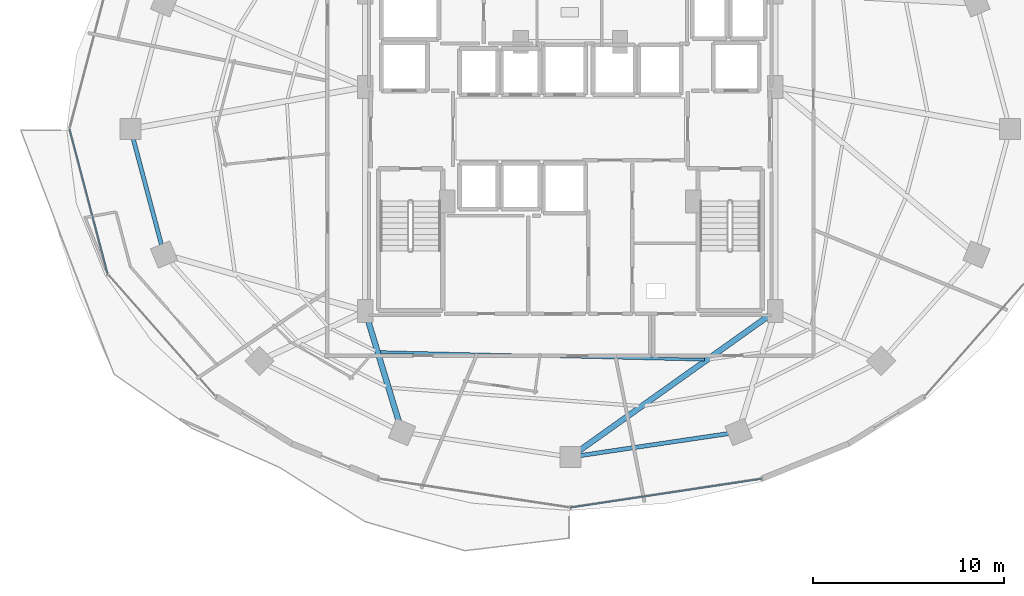
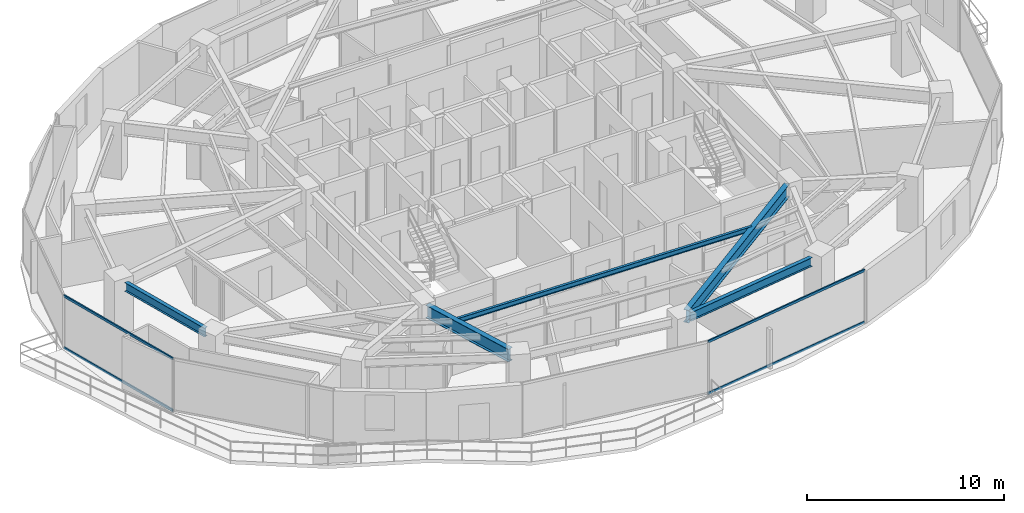
# One storey, part 6 of 29: 5 beams, 4 members, 2 elements without a shape of their own.
"""IFC4 building model written with IfcOpenShell, lengths in metres."""

import ifcopenshell
import ifcopenshell.guid

model = None  # the IFC model being written
_history = None  # IfcOwnerHistory: only IFC2X3 demands one
_inside = {}  # id of a spatial element -> (the spatial element, [elements in it])
_under = {}  # id of a project, library or spatial element -> (it, [spatial elements below it])
_declared = {}  # id of a project -> (the project, [libraries it declares])
_typed = {}  # id of a type object -> (the type object, [elements of that type])
_made_of = {}  # id of a material, layer set ... -> (it, [elements and type objects made of it])


def new_model(schema):
    """Start an empty IFC model of exactly this schema.

    Asked for "IFC4X3", IfcOpenShell would pick the latest addendum, in which some entities
    have other attributes; the version numbers below select the first issue.
    IFC2X3 requires an IfcOwnerHistory on every rooted entity: one is made here for all.
    """
    global model, _history
    if schema == "IFC4X3":
        model = ifcopenshell.file(schema_version=(4, 3, 0, 0))
    else:
        model = ifcopenshell.file(schema=schema)
    _inside.clear()
    _under.clear()
    _declared.clear()
    _typed.clear()
    _made_of.clear()
    _history = None
    if model.schema == "IFC2X3":
        org = make("IfcOrganization", Name="unknown")
        user = make(
            "IfcPersonAndOrganization",
            ThePerson=make("IfcPerson", FamilyName="unknown"),
            TheOrganization=org,
        )
        app = make(
            "IfcApplication",
            ApplicationDeveloper=org,
            Version="unknown",
            ApplicationFullName="unknown",
            ApplicationIdentifier="unknown",
        )
        _history = make(
            "IfcOwnerHistory",
            OwningUser=user,
            OwningApplication=app,
            ChangeAction="ADDED",
            CreationDate=0,
        )
    return model


def make(cls, **values):
    """One entity of the class cls with the attributes given. An attribute that is None is left unset."""
    return model.create_entity(
        cls, **{name: value for name, value in values.items() if value is not None}
    )


def rooted(cls, **values):
    """An entity with a GlobalId (a new one), such as an element, a storey or a relation."""
    return make(cls, GlobalId=ifcopenshell.guid.new(), OwnerHistory=_history, **values)


def si_unit(unit_type, name, prefix=None):
    """IfcSIUnit, for example si_unit("LENGTHUNIT", "METRE", prefix="MILLI")."""
    return make("IfcSIUnit", UnitType=unit_type, Prefix=prefix, Name=name)


def assignment(units):
    """IfcUnitAssignment: the units of a project."""
    return None if units is None else make("IfcUnitAssignment", Units=units)


def point(xyz):
    """IfcCartesianPoint."""
    return None if xyz is None else make("IfcCartesianPoint", Coordinates=xyz)


def direction(xyz):
    """IfcDirection."""
    return None if xyz is None else make("IfcDirection", DirectionRatios=xyz)


def frame(location, z_axis=None, x_axis=None):
    """IfcAxis2Placement3D, a coordinate frame: its origin and axes. An axis left out is left unset."""
    return make(
        "IfcAxis2Placement3D",
        Location=point(location),
        Axis=direction(z_axis),
        RefDirection=direction(x_axis),
    )


def frame_2d(location, x_axis=None):
    """IfcAxis2Placement2D, a coordinate frame in the plane: its origin and x axis."""
    return make(
        "IfcAxis2Placement2D", Location=point(location), RefDirection=direction(x_axis)
    )


def origin():
    """The frame at (0, 0, 0) with its axes left unset."""
    return frame((0.0, 0.0, 0.0))


def origin_2d():
    """The frame at (0, 0) in the plane with its x axis left unset."""
    return frame_2d((0.0, 0.0))


def place(relative_to, where):
    """IfcLocalPlacement: puts the frame where relative to a parent placement (None: the world)."""
    return make(
        "IfcLocalPlacement", PlacementRelTo=relative_to, RelativePlacement=where
    )


def context(
    kind, dimensions, precision=None, world=None, true_north=None, identifier=None
):
    """IfcGeometricRepresentationContext, for example the 3D "Model" context."""
    return make(
        "IfcGeometricRepresentationContext",
        ContextIdentifier=identifier,
        ContextType=kind,
        CoordinateSpaceDimension=dimensions,
        Precision=precision,
        WorldCoordinateSystem=world,
        TrueNorth=true_north,
    )


def subcontext(parent, identifier, kind, view, scale=None):
    """IfcGeometricRepresentationSubContext, for example "Body" below "Model"."""
    return make(
        "IfcGeometricRepresentationSubContext",
        ContextIdentifier=identifier,
        ContextType=kind,
        ParentContext=parent,
        TargetScale=scale,
        TargetView=view,
    )


def project(units=None, contexts=None):
    """IfcProject with its units and contexts."""
    return rooted(
        "IfcProject",
        Name="project",
        RepresentationContexts=contexts,
        UnitsInContext=assignment(units),
    )


def spatial(cls, under=None, at=None, **own):
    """A site, building, storey or space (cls), placed at a placement, below another one or the project."""
    s = rooted(cls, ObjectPlacement=at, **own)
    if under is not None:
        _under.setdefault(under.id(), (under, []))[1].append(s)
    return s


def profile(cls, at=None, kind="AREA", **sizes):
    """A parametric profile (cls). Its sizes go by their IFC names, for example OverallWidth=200.0."""
    return make(cls, ProfileType=kind, Position=at, **sizes)


def hollow_rectangle(**sizes):
    """IfcRectangleHollowProfileDef."""
    return profile("IfcRectangleHollowProfileDef", **sizes)


def i_section(**sizes):
    """IfcIShapeProfileDef."""
    return profile("IfcIShapeProfileDef", **sizes)


def extrude(swept, where, along, depth):
    """IfcExtrudedAreaSolid: the profile swept, set in the frame where, extruded along a direction by depth."""
    return make(
        "IfcExtrudedAreaSolid",
        SweptArea=swept,
        Position=where,
        ExtrudedDirection=direction(along),
        Depth=depth,
    )


def shape(context_of_items, identifier, shape_type, items):
    """IfcShapeRepresentation: the items that make up one representation, for example the "Body"."""
    return make(
        "IfcShapeRepresentation",
        ContextOfItems=context_of_items,
        RepresentationIdentifier=identifier,
        RepresentationType=shape_type,
        Items=items,
    )


def material(Name=None, Category=None):
    """IfcMaterial."""
    return make("IfcMaterial", Name=Name, Category=Category)


def material_profile(
    of_material, cross_section, Name=None, Category=None, Priority=None
):
    """IfcMaterialProfile: a cross section and its material."""
    return make(
        "IfcMaterialProfile",
        Name=Name,
        Material=of_material,
        Profile=cross_section,
        Priority=Priority,
        Category=Category,
    )


def profile_set(profiles, Name=None, composite=None):
    """IfcMaterialProfileSet."""
    return make(
        "IfcMaterialProfileSet",
        Name=Name,
        MaterialProfiles=profiles,
        CompositeProfile=composite,
    )


def made_of(thing, what):
    """Note that an element or type object is made of a material, layer set ...; save() writes the relation."""
    if what is not None:
        _made_of.setdefault(what.id(), (what, []))[1].append(thing)
    return thing


def type_object(cls, material=None, **own):
    """A type object (cls), such as IfcWallType, which elements share."""
    return made_of(rooted(cls, **own), material)


def element(
    cls,
    number,
    at=None,
    inside=None,
    cuts=None,
    type_object=None,
    material=None,
    context=None,
    identifier="Body",
    shape_type=None,
    held_by="IfcProductDefinitionShape",
    body=None,
    shapes=None,
    **own,
):
    """One element of the class cls, such as IfcWall. Its Tag is "e" and its number.

    at: its placement. inside: the storey or other place that contains it. cuts: it is an
    opening in that element (IfcRelVoidsElement). A single representation is given by context,
    identifier, shape_type and body (its items); several are given by shapes. held_by: the class
    of the entity that holds the representations. save() writes the other relations.
    """
    e = rooted(cls, Tag="e%d" % number, ObjectPlacement=at, **own)
    if body is not None:
        shapes = [shape(context, identifier, shape_type, body)]
    if shapes is not None:
        e.Representation = make(held_by, Representations=shapes)
    if inside is not None:
        _inside.setdefault(inside.id(), (inside, []))[1].append(e)
    if cuts is not None:
        rooted(
            "IfcRelVoidsElement", RelatingBuildingElement=cuts, RelatedOpeningElement=e
        )
    if type_object is not None:
        _typed.setdefault(type_object.id(), (type_object, []))[1].append(e)
    return made_of(e, material)


def aggregate(whole, parts):
    """IfcRelAggregates: a whole, such as a stair, and the parts it consists of."""
    return rooted("IfcRelAggregates", RelatingObject=whole, RelatedObjects=parts)


def save(model, path):
    """Write the relations noted so far, then the file.

    IfcRelAggregates (storeys below a building ...), IfcRelContainedInSpatialStructure (elements
    in a storey), IfcRelDefinesByType, IfcRelAssociatesMaterial and IfcRelDeclares: one each for
    every whole, place, type object, material and project.
    """
    for whole, parts in _under.values():
        aggregate(whole, parts)
    for where, things in _inside.values():
        rooted(
            "IfcRelContainedInSpatialStructure",
            RelatedElements=things,
            RelatingStructure=where,
        )
    for kind, things in _typed.values():
        rooted("IfcRelDefinesByType", RelatedObjects=things, RelatingType=kind)
    for what, things in _made_of.values():
        rooted("IfcRelAssociatesMaterial", RelatedObjects=things, RelatingMaterial=what)
    for by, libraries in _declared.values():
        rooted("IfcRelDeclares", RelatingContext=by, RelatedDefinitions=libraries)
    model.write(path)


model = new_model("IFC4")

# Units and contexts
model_context = context("Model", 3, precision=1e-05, world=origin(), true_north=direction((0.0, 1.0)))
body_context = subcontext(model_context, "Body", "Model", "MODEL_VIEW")
ifc_project = project(units=[si_unit("LENGTHUNIT", "METRE"), si_unit("AREAUNIT", "SQUARE_METRE"), si_unit("VOLUMEUNIT", "CUBIC_METRE"), si_unit("PLANEANGLEUNIT", "RADIAN"), si_unit("MASSUNIT", "GRAM", prefix="KILO")], contexts=[model_context])

# Site, building, storey
site_placement = place(None, origin())
site = spatial("IfcSite", under=ifc_project, at=site_placement, CompositionType="ELEMENT")
building_placement = place(site_placement, origin())
building = spatial("IfcBuilding", under=site, at=building_placement, Name="Vorneva Point Tower", CompositionType="ELEMENT")
storey_placement = place(building_placement, frame((0.0, 0.0, 82.300048828125)))
storey = spatial("IfcBuildingStorey", under=building, at=storey_placement, Name="L21", CompositionType="ELEMENT", Elevation=82.300048828125)

# Beams
ifc_material_1 = material(Name="Steel S355", Category="steel")
ifc_material_profile_1 = material_profile(ifc_material_1, i_section(OverallWidth=0.300048828125, OverallDepth=0.7880859375, WebThickness=0.014404296875, FlangeThickness=0.02197265625, at=origin_2d()), Name="80Sh1")
ifc_profile_set_1 = profile_set([ifc_material_profile_1], Name="Steel S355")
beam_type_1 = type_object("IfcBeamType", Name="BM-GRD-80Sh1", PredefinedType="USERDEFINED", material=ifc_profile_set_1)
beam_1_placement = place(storey_placement, frame((29.0224609375, 10.6240234375, 2.845947265625), z_axis=(-0.291034888253, 0.956712440506, 0.0), x_axis=(-0.956712440506, -0.291034888253, 0.0)))
element("IfcBeam", 1, at=beam_1_placement, inside=storey, type_object=beam_type_1, Name="L21 Radial Primary Girder 12", ObjectType="GIRDER", PredefinedType="USERDEFINED", context=body_context, shape_type="SweptSolid", body=[
    extrude(i_section(OverallWidth=0.300048828125, OverallDepth=0.7880859375, WebThickness=0.014404296875, FlangeThickness=0.02197265625, at=origin_2d()), origin(), (0.0, 0.0, 1.0), 5.74951171875),
])
beam_2_placement = place(storey_placement, frame((38.438232421875, 9.11181640625, 2.845947265625), z_axis=(0.814750142675, 0.5798122153, 0.0), x_axis=(-0.5798122153, 0.814750142675, 0.0)))
element("IfcBeam", 2, at=beam_2_placement, inside=storey, type_object=beam_type_1, Name="L21 Radial Primary Girder 13", ObjectType="GIRDER", PredefinedType="USERDEFINED", context=body_context, shape_type="SweptSolid", body=[
    extrude(i_section(OverallWidth=0.300048828125, OverallDepth=0.7880859375, WebThickness=0.014404296875, FlangeThickness=0.02197265625, at=origin_2d()), origin(), (0.0, 0.0, 1.0), 12.316162109375),
])
ifc_material_profile_2 = material_profile(ifc_material_1, i_section(OverallWidth=0.14892578125, OverallDepth=0.298095703125, WebThickness=0.005615234375, FlangeThickness=0.008056640625, at=origin_2d()), Name="30B1")
ifc_profile_set_2 = profile_set([ifc_material_profile_2], Name="Steel S355")
beam_type_2 = type_object("IfcBeamType", Name="BM-JST-30B1", PredefinedType="JOIST", material=ifc_profile_set_2)
beam_3_placement = place(storey_placement, frame((28.039306640625, 14.30615234375, 3.091064453125), z_axis=(0.999713718742, -0.023926565974, 0.0), x_axis=(0.023926565974, 0.999713718742, 0.0)))
element("IfcBeam", 3, at=beam_3_placement, inside=storey, type_object=beam_type_2, Name="L21 Secondary Floor Beam 2.12", PredefinedType="JOIST", context=body_context, shape_type="SweptSolid", body=[
    extrude(i_section(OverallWidth=0.14892578125, OverallDepth=0.298095703125, WebThickness=0.005615234375, FlangeThickness=0.008056640625, at=origin_2d()), origin(), (0.0, 0.0, 1.0), 16.9892578125),
])
ifc_material_profile_3 = material_profile(ifc_material_1, i_section(OverallWidth=0.219970703125, OverallDepth=0.54296875, WebThickness=0.009521484375, FlangeThickness=0.013427734375, at=origin_2d()), Name="55B1")
ifc_profile_set_3 = profile_set([ifc_material_profile_3], Name="Steel S355")
beam_type_3 = type_object("IfcBeamType", Name="BM-SPN-55B1", PredefinedType="SPANDREL", material=ifc_profile_set_3)
beam_4_placement = place(storey_placement, frame((15.087890625, 25.483154296875, 2.968505859375), z_axis=(0.257572674071, -0.966258928845, 0.0), x_axis=(0.966258928845, 0.257572674071, 0.0)))
element("IfcBeam", 4, at=beam_4_placement, inside=storey, type_object=beam_type_3, Name="L21 Perimeter Spandrel Ring Beam 09", PredefinedType="SPANDREL", context=body_context, shape_type="SweptSolid", body=[
    extrude(i_section(OverallWidth=0.219970703125, OverallDepth=0.54296875, WebThickness=0.009521484375, FlangeThickness=0.013427734375, at=origin_2d()), origin(), (0.0, 0.0, 1.0), 5.7421875),
])
beam_5_placement = place(storey_placement, frame((38.529296875, 8.878662109375, 2.968505859375), z_axis=(0.989164507783, 0.146811363806, 0.0), x_axis=(-0.146811363806, 0.989164507783, 0.0)))
element("IfcBeam", 5, at=beam_5_placement, inside=storey, type_object=beam_type_3, Name="L21 Perimeter Spandrel Ring Beam 13", PredefinedType="SPANDREL", context=body_context, shape_type="SweptSolid", body=[
    extrude(i_section(OverallWidth=0.219970703125, OverallDepth=0.54296875, WebThickness=0.009521484375, FlangeThickness=0.013427734375, at=origin_2d()), origin(), (0.0, 0.0, 1.0), 7.847412109375),
])

# Curtain wall, members
ifc_material_2 = material(Name="Pale anodised aluminium", Category="aluminium")
curtain_wall_type = type_object("IfcCurtainWallType", Name="CW-HTL-SYS", PredefinedType="NOTDEFINED", material=ifc_material_2)
curtain_wall_1_placement = place(storey_placement, origin())
curtain_wall_1 = element("IfcCurtainWall", 6, at=curtain_wall_1_placement, inside=storey, type_object=curtain_wall_type, Name="L21 Unitised Curtain Wall CW-L21-R02", PredefinedType="NOTDEFINED")
ifc_material_profile_4 = material_profile(ifc_material_2, hollow_rectangle(XDim=0.074951171875, YDim=0.14990234375, WallThickness=0.00390625, at=origin_2d()), Name="AL-TRN 150x75x4")
ifc_profile_set_4 = profile_set([ifc_material_profile_4], Name="Pale anodised aluminium")
member_type = type_object("IfcMemberType", Name="CW-TRN-150", PredefinedType="USERDEFINED", material=ifc_profile_set_4)
member_1_placement = place(storey_placement, frame((11.75, 26.0, 0.02001953125), z_axis=(0.254409150465, -0.967096677773, 0.0), x_axis=(0.967096677773, 0.254409150465, 0.0)))
member_1 = element("IfcMember", 7, at=member_1_placement, type_object=member_type, Name="CW-L21-R02 Transom 03.1", ObjectType="TRANSOM", PredefinedType="USERDEFINED", context=body_context, shape_type="SweptSolid", body=[
    extrude(hollow_rectangle(XDim=0.074951171875, YDim=0.14990234375, WallThickness=0.00390625, at=origin_2d()), origin(), (0.0, 0.0, 1.0), 7.854736328125),
])
member_2_placement = place(storey_placement, frame((11.75, 26.0, 3.219970703125), z_axis=(0.254409150465, -0.967096677773, 0.0), x_axis=(0.967096677773, 0.254409150465, 0.0)))
member_2 = element("IfcMember", 8, at=member_2_placement, type_object=member_type, Name="CW-L21-R02 Transom 03.2", ObjectType="TRANSOM", PredefinedType="USERDEFINED", context=body_context, shape_type="SweptSolid", body=[
    extrude(hollow_rectangle(XDim=0.074951171875, YDim=0.14990234375, WallThickness=0.00390625, at=origin_2d()), origin(), (0.0, 0.0, 1.0), 7.854736328125),
])
aggregate(curtain_wall_1, [member_1, member_2])

curtain_wall_2_placement = place(storey_placement, origin())
curtain_wall_2 = element("IfcCurtainWall", 9, at=curtain_wall_2_placement, inside=storey, type_object=curtain_wall_type, Name="L21 Unitised Curtain Wall CW-L21-R03", PredefinedType="NOTDEFINED")
member_3_placement = place(storey_placement, frame((38.0, 6.14990234375, 0.02001953125), z_axis=(0.988875982167, 0.148742367512, 0.0), x_axis=(-0.148742367512, 0.988875982167, 0.0)))
member_3 = element("IfcMember", 10, at=member_3_placement, type_object=member_type, Name="CW-L21-R03 Transom 02.1", ObjectType="TRANSOM", PredefinedType="USERDEFINED", context=body_context, shape_type="SweptSolid", body=[
    extrude(hollow_rectangle(XDim=0.074951171875, YDim=0.14990234375, WallThickness=0.00390625, at=origin_2d()), origin(), (0.0, 0.0, 1.0), 10.158447265625),
])
member_4_placement = place(storey_placement, frame((38.0, 6.14990234375, 3.219970703125), z_axis=(0.988875982167, 0.148742367512, 0.0), x_axis=(-0.148742367512, 0.988875982167, 0.0)))
member_4 = element("IfcMember", 11, at=member_4_placement, type_object=member_type, Name="CW-L21-R03 Transom 02.2", ObjectType="TRANSOM", PredefinedType="USERDEFINED", context=body_context, shape_type="SweptSolid", body=[
    extrude(hollow_rectangle(XDim=0.074951171875, YDim=0.14990234375, WallThickness=0.00390625, at=origin_2d()), origin(), (0.0, 0.0, 1.0), 10.158447265625),
])
aggregate(curtain_wall_2, [member_3, member_4])

save(model, "model.ifc")
